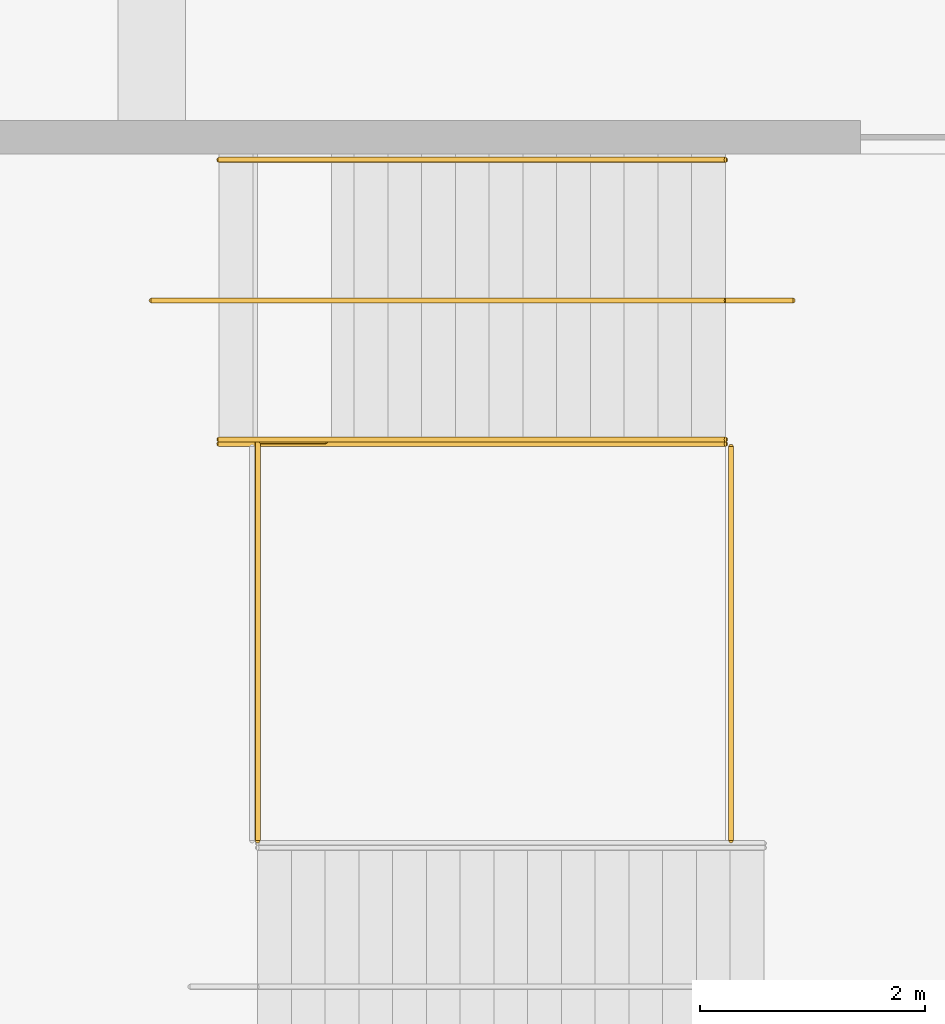
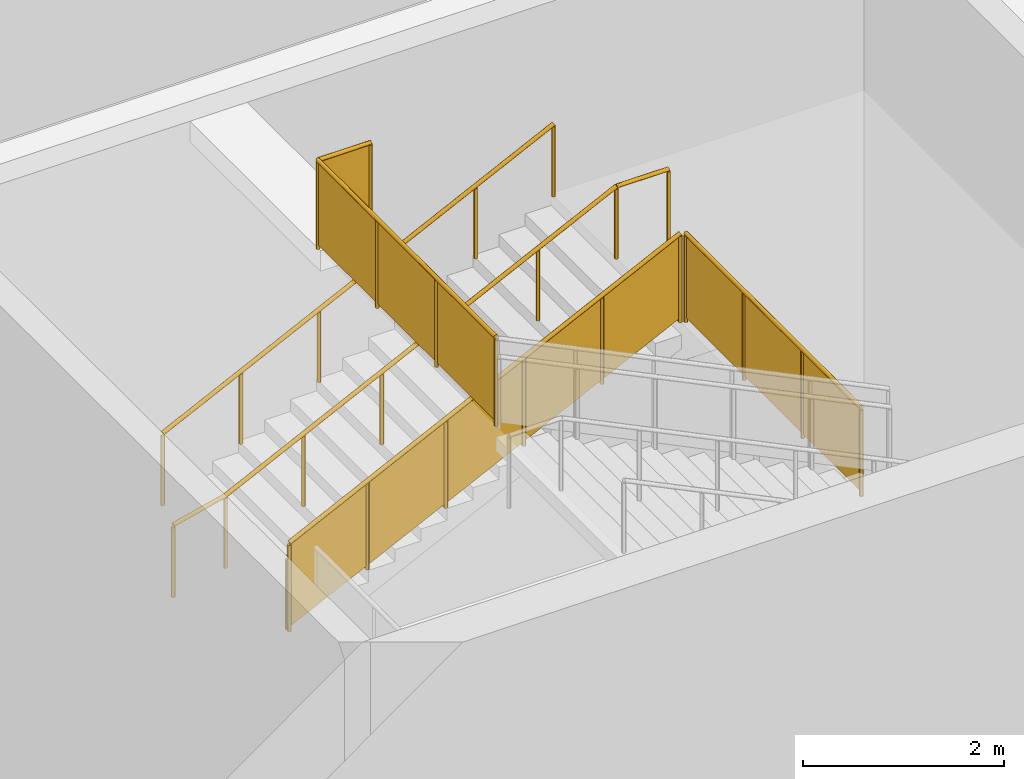
# One storey, part 70 of 92: 6 railings.
"""IFC4 building model written with IfcOpenShell, lengths in metres."""

import ifcopenshell
import ifcopenshell.guid

model = None  # the IFC model being written
_history = None  # IfcOwnerHistory: only IFC2X3 demands one
_inside = {}  # id of a spatial element -> (the spatial element, [elements in it])
_under = {}  # id of a project, library or spatial element -> (it, [spatial elements below it])
_declared = {}  # id of a project -> (the project, [libraries it declares])
_typed = {}  # id of a type object -> (the type object, [elements of that type])
_made_of = {}  # id of a material, layer set ... -> (it, [elements and type objects made of it])


def new_model(schema):
    """Start an empty IFC model of exactly this schema.

    Asked for "IFC4X3", IfcOpenShell would pick the latest addendum, in which some entities
    have other attributes; the version numbers below select the first issue.
    IFC2X3 requires an IfcOwnerHistory on every rooted entity: one is made here for all.
    """
    global model, _history
    if schema == "IFC4X3":
        model = ifcopenshell.file(schema_version=(4, 3, 0, 0))
    else:
        model = ifcopenshell.file(schema=schema)
    _inside.clear()
    _under.clear()
    _declared.clear()
    _typed.clear()
    _made_of.clear()
    _history = None
    if model.schema == "IFC2X3":
        org = make("IfcOrganization", Name="unknown")
        user = make(
            "IfcPersonAndOrganization",
            ThePerson=make("IfcPerson", FamilyName="unknown"),
            TheOrganization=org,
        )
        app = make(
            "IfcApplication",
            ApplicationDeveloper=org,
            Version="unknown",
            ApplicationFullName="unknown",
            ApplicationIdentifier="unknown",
        )
        _history = make(
            "IfcOwnerHistory",
            OwningUser=user,
            OwningApplication=app,
            ChangeAction="ADDED",
            CreationDate=0,
        )
    return model


def make(cls, **values):
    """One entity of the class cls with the attributes given. An attribute that is None is left unset."""
    return model.create_entity(
        cls, **{name: value for name, value in values.items() if value is not None}
    )


def rooted(cls, **values):
    """An entity with a GlobalId (a new one), such as an element, a storey or a relation."""
    return make(cls, GlobalId=ifcopenshell.guid.new(), OwnerHistory=_history, **values)


def si_unit(unit_type, name, prefix=None):
    """IfcSIUnit, for example si_unit("LENGTHUNIT", "METRE", prefix="MILLI")."""
    return make("IfcSIUnit", UnitType=unit_type, Prefix=prefix, Name=name)


def assignment(units):
    """IfcUnitAssignment: the units of a project."""
    return None if units is None else make("IfcUnitAssignment", Units=units)


def point(xyz):
    """IfcCartesianPoint."""
    return None if xyz is None else make("IfcCartesianPoint", Coordinates=xyz)


def direction(xyz):
    """IfcDirection."""
    return None if xyz is None else make("IfcDirection", DirectionRatios=xyz)


def frame(location, z_axis=None, x_axis=None):
    """IfcAxis2Placement3D, a coordinate frame: its origin and axes. An axis left out is left unset."""
    return make(
        "IfcAxis2Placement3D",
        Location=point(location),
        Axis=direction(z_axis),
        RefDirection=direction(x_axis),
    )


def frame_2d(location, x_axis=None):
    """IfcAxis2Placement2D, a coordinate frame in the plane: its origin and x axis."""
    return make(
        "IfcAxis2Placement2D", Location=point(location), RefDirection=direction(x_axis)
    )


def origin():
    """The frame at (0, 0, 0) with its axes left unset."""
    return frame((0.0, 0.0, 0.0))


def origin_2d():
    """The frame at (0, 0) in the plane with its x axis left unset."""
    return frame_2d((0.0, 0.0))


def place(relative_to, where):
    """IfcLocalPlacement: puts the frame where relative to a parent placement (None: the world)."""
    return make(
        "IfcLocalPlacement", PlacementRelTo=relative_to, RelativePlacement=where
    )


def context(
    kind, dimensions, precision=None, world=None, true_north=None, identifier=None
):
    """IfcGeometricRepresentationContext, for example the 3D "Model" context."""
    return make(
        "IfcGeometricRepresentationContext",
        ContextIdentifier=identifier,
        ContextType=kind,
        CoordinateSpaceDimension=dimensions,
        Precision=precision,
        WorldCoordinateSystem=world,
        TrueNorth=true_north,
    )


def subcontext(parent, identifier, kind, view, scale=None):
    """IfcGeometricRepresentationSubContext, for example "Body" below "Model"."""
    return make(
        "IfcGeometricRepresentationSubContext",
        ContextIdentifier=identifier,
        ContextType=kind,
        ParentContext=parent,
        TargetScale=scale,
        TargetView=view,
    )


def project(units=None, contexts=None):
    """IfcProject with its units and contexts."""
    return rooted(
        "IfcProject",
        Name="project",
        RepresentationContexts=contexts,
        UnitsInContext=assignment(units),
    )


def spatial(cls, under=None, at=None, **own):
    """A site, building, storey or space (cls), placed at a placement, below another one or the project."""
    s = rooted(cls, ObjectPlacement=at, **own)
    if under is not None:
        _under.setdefault(under.id(), (under, []))[1].append(s)
    return s


def polyline(points):
    """IfcPolyline through the points."""
    return make("IfcPolyline", Points=[point(p) for p in points])


def profile(cls, at=None, kind="AREA", **sizes):
    """A parametric profile (cls). Its sizes go by their IFC names, for example OverallWidth=200.0."""
    return make(cls, ProfileType=kind, Position=at, **sizes)


def circle(**sizes):
    """IfcCircleProfileDef."""
    return profile("IfcCircleProfileDef", **sizes)


def outline(outer, holes=None, kind="AREA"):
    """IfcArbitraryClosedProfileDef: a profile drawn as a closed curve; with holes, ...WithVoids."""
    if holes is None:
        return make("IfcArbitraryClosedProfileDef", ProfileType=kind, OuterCurve=outer)
    return make(
        "IfcArbitraryProfileDefWithVoids",
        ProfileType=kind,
        OuterCurve=outer,
        InnerCurves=holes,
    )


def extrude(swept, where, along, depth):
    """IfcExtrudedAreaSolid: the profile swept, set in the frame where, extruded along a direction by depth."""
    return make(
        "IfcExtrudedAreaSolid",
        SweptArea=swept,
        Position=where,
        ExtrudedDirection=direction(along),
        Depth=depth,
    )


def shape(context_of_items, identifier, shape_type, items):
    """IfcShapeRepresentation: the items that make up one representation, for example the "Body"."""
    return make(
        "IfcShapeRepresentation",
        ContextOfItems=context_of_items,
        RepresentationIdentifier=identifier,
        RepresentationType=shape_type,
        Items=items,
    )


def material(Name=None, Category=None):
    """IfcMaterial."""
    return make("IfcMaterial", Name=Name, Category=Category)


def made_of(thing, what):
    """Note that an element or type object is made of a material, layer set ...; save() writes the relation."""
    if what is not None:
        _made_of.setdefault(what.id(), (what, []))[1].append(thing)
    return thing


def type_object(cls, material=None, **own):
    """A type object (cls), such as IfcWallType, which elements share."""
    return made_of(rooted(cls, **own), material)


def element(
    cls,
    number,
    at=None,
    inside=None,
    cuts=None,
    type_object=None,
    material=None,
    context=None,
    identifier="Body",
    shape_type=None,
    held_by="IfcProductDefinitionShape",
    body=None,
    shapes=None,
    **own,
):
    """One element of the class cls, such as IfcWall. Its Tag is "e" and its number.

    at: its placement. inside: the storey or other place that contains it. cuts: it is an
    opening in that element (IfcRelVoidsElement). A single representation is given by context,
    identifier, shape_type and body (its items); several are given by shapes. held_by: the class
    of the entity that holds the representations. save() writes the other relations.
    """
    e = rooted(cls, Tag="e%d" % number, ObjectPlacement=at, **own)
    if body is not None:
        shapes = [shape(context, identifier, shape_type, body)]
    if shapes is not None:
        e.Representation = make(held_by, Representations=shapes)
    if inside is not None:
        _inside.setdefault(inside.id(), (inside, []))[1].append(e)
    if cuts is not None:
        rooted(
            "IfcRelVoidsElement", RelatingBuildingElement=cuts, RelatedOpeningElement=e
        )
    if type_object is not None:
        _typed.setdefault(type_object.id(), (type_object, []))[1].append(e)
    return made_of(e, material)


def aggregate(whole, parts):
    """IfcRelAggregates: a whole, such as a stair, and the parts it consists of."""
    return rooted("IfcRelAggregates", RelatingObject=whole, RelatedObjects=parts)


def save(model, path):
    """Write the relations noted so far, then the file.

    IfcRelAggregates (storeys below a building ...), IfcRelContainedInSpatialStructure (elements
    in a storey), IfcRelDefinesByType, IfcRelAssociatesMaterial and IfcRelDeclares: one each for
    every whole, place, type object, material and project.
    """
    for whole, parts in _under.values():
        aggregate(whole, parts)
    for where, things in _inside.values():
        rooted(
            "IfcRelContainedInSpatialStructure",
            RelatedElements=things,
            RelatingStructure=where,
        )
    for kind, things in _typed.values():
        rooted("IfcRelDefinesByType", RelatedObjects=things, RelatingType=kind)
    for what, things in _made_of.values():
        rooted("IfcRelAssociatesMaterial", RelatedObjects=things, RelatingMaterial=what)
    for by, libraries in _declared.values():
        rooted("IfcRelDeclares", RelatingContext=by, RelatedDefinitions=libraries)
    model.write(path)


model = new_model("IFC4")

# Units and contexts
model_context = context("Model", 3, precision=1e-05, world=origin(), true_north=direction((0.0, 1.0)))
body_context = subcontext(model_context, "Body", "Model", "MODEL_VIEW")
ifc_project = project(units=[si_unit("LENGTHUNIT", "METRE"), si_unit("AREAUNIT", "SQUARE_METRE"), si_unit("VOLUMEUNIT", "CUBIC_METRE"), si_unit("PLANEANGLEUNIT", "RADIAN"), si_unit("MASSUNIT", "GRAM", prefix="KILO")], contexts=[model_context])

# Site, building, storey
site_placement = place(None, origin())
site = spatial("IfcSite", under=ifc_project, at=site_placement, CompositionType="ELEMENT")
building_placement = place(site_placement, origin())
building = spatial("IfcBuilding", under=site, at=building_placement, Name="Silverbay Arena", CompositionType="ELEMENT")
storey_placement = place(building_placement, origin())
storey = spatial("IfcBuildingStorey", under=building, at=storey_placement, Name="L00", CompositionType="ELEMENT", Elevation=0.0)

# Railings
ifc_material_1 = material(Name="Stainless steel", Category="steel")
railing_type_1 = type_object("IfcRailingType", Name="Stair guard 1100", PredefinedType="GUARDRAIL", material=ifc_material_1)
railing_1_placement = place(storey_placement, frame((171.60009765625, 24.125, 2.479248046875)))
element("IfcRailing", 1, at=railing_1_placement, inside=storey, type_object=railing_type_1, Name="Stair ST-S4 L00 to L01 flight 2 guard right", PredefinedType="GUARDRAIL", context=body_context, shape_type="SweptSolid", body=[
    extrude(circle(Radius=0.02392578125, at=origin_2d()), frame((0.0, 0.0, 1.076171875), z_axis=(0.899367854138, 0.0, 0.437192706873), x_axis=(0.0, 1.0, 0.0)), (0.0, 0.0, 1.0), 5.00341796875),
    extrude(outline(polyline([(-0.008056640625, 0.046142578125), (0.907958984375, 0.491455078125), (0.907958984375, 1.494384765625), (-0.008056640625, 1.049072265625), (-0.008056640625, 0.046142578125)])), frame((0.0, 0.0029296875, 0.0), z_axis=(0.0, -1.0, 0.0), x_axis=(1.0, 0.0, 0.0)), (0.0, 0.0, 1.0), 0.006103515625),
    extrude(outline(polyline([(-0.008056640625, 0.483642578125), (0.907958984375, 0.928955078125), (0.907958984375, 1.931884765625), (-0.008056640625, 1.486572265625), (-0.008056640625, 0.483642578125)])), frame((0.89990234375, 0.0029296875, 0.0), z_axis=(0.0, -1.0, 0.0), x_axis=(1.0, 0.0, 0.0)), (0.0, 0.0, 1.0), 0.006103515625),
    extrude(outline(polyline([(-0.008056640625, 0.921142578125), (0.907958984375, 1.366455078125), (0.907958984375, 2.369384765625), (-0.008056640625, 1.924072265625), (-0.008056640625, 0.921142578125)])), frame((1.800048828125, 0.0029296875, 0.0), z_axis=(0.0, -1.0, 0.0), x_axis=(1.0, 0.0, 0.0)), (0.0, 0.0, 1.0), 0.006103515625),
    extrude(outline(polyline([(-0.008056640625, 1.358642578125), (0.907958984375, 1.803955078125), (0.907958984375, 2.806884765625), (-0.008056640625, 2.361572265625), (-0.008056640625, 1.358642578125)])), frame((2.699951171875, 0.0029296875, 0.0), z_axis=(0.0, -1.0, 0.0), x_axis=(1.0, 0.0, 0.0)), (0.0, 0.0, 1.0), 0.006103515625),
    extrude(outline(polyline([(-0.008056640625, 1.796142578125), (0.907958984375, 2.241455078125), (0.907958984375, 3.244384765625), (-0.008056640625, 2.799072265625), (-0.008056640625, 1.796142578125)])), frame((3.60009765625, 0.0029296875, 0.0), z_axis=(0.0, -1.0, 0.0), x_axis=(1.0, 0.0, 0.0)), (0.0, 0.0, 1.0), 0.006103515625),
    extrude(circle(Radius=0.02099609375, at=origin_2d()), origin(), (0.0, 0.0, 1.0), 1.052001953125),
    extrude(circle(Radius=0.02099609375, at=origin_2d()), frame((0.89990234375, 0.0, 0.4375)), (0.0, 0.0, 1.0), 1.052001953125),
    extrude(circle(Radius=0.02099609375, at=origin_2d()), frame((1.800048828125, 0.0, 0.875)), (0.0, 0.0, 1.0), 1.052001953125),
    extrude(circle(Radius=0.02099609375, at=origin_2d()), frame((2.699951171875, 0.0, 1.3125)), (0.0, 0.0, 1.0), 1.052001953125),
    extrude(circle(Radius=0.02099609375, at=origin_2d()), frame((3.60009765625, 0.0, 1.75)), (0.0, 0.0, 1.0), 1.052001953125),
    extrude(circle(Radius=0.02099609375, at=origin_2d()), frame((4.5, 0.0, 2.1875)), (0.0, 0.0, 1.0), 1.052001953125),
])
railing_2_placement = place(storey_placement, frame((176.14990234375, 24.10009765625, 4.666748046875)))
element("IfcRailing", 2, at=railing_2_placement, inside=storey, type_object=railing_type_1, Name="Stair ST-S4 L00 to L01 landing 2 guard", PredefinedType="GUARDRAIL", context=body_context, shape_type="SweptSolid", body=[
    extrude(circle(Radius=0.02392578125, at=origin_2d()), frame((0.0, 0.0, 1.076171875), z_axis=(0.0, -1.0, 0.0), x_axis=(1.0, 0.0, 0.0)), (0.0, 0.0, 1.0), 3.5),
    extrude(outline(polyline([(-0.008056640625, 0.050048828125), (1.174560546875, 0.050048828125), (1.174560546875, 1.052978515625), (-0.008056640625, 1.052978515625), (-0.008056640625, 0.050048828125)])), frame((0.0029296875, 0.0, 0.0), z_axis=(-1.0, 0.0, 0.0), x_axis=(0.0, -1.0, 0.0)), (0.0, 0.0, 1.0), 0.006103515625),
    extrude(outline(polyline([(-0.008056640625, 0.050048828125), (1.174560546875, 0.050048828125), (1.174560546875, 1.052978515625), (-0.008056640625, 1.052978515625), (-0.008056640625, 0.050048828125)])), frame((0.0029296875, -1.166748046875, 0.0), z_axis=(-1.0, 0.0, 0.0), x_axis=(0.0, -1.0, 0.0)), (0.0, 0.0, 1.0), 0.006103515625),
    extrude(outline(polyline([(-0.008056640625, 0.050048828125), (1.174560546875, 0.050048828125), (1.174560546875, 1.052978515625), (-0.008056640625, 1.052978515625), (-0.008056640625, 0.050048828125)])), frame((0.0029296875, -2.333251953125, 0.0), z_axis=(-1.0, 0.0, 0.0), x_axis=(0.0, -1.0, 0.0)), (0.0, 0.0, 1.0), 0.006103515625),
    extrude(circle(Radius=0.02099609375, at=origin_2d()), origin(), (0.0, 0.0, 1.0), 1.052001953125),
    extrude(circle(Radius=0.02099609375, at=origin_2d()), frame((0.0, -1.166748046875, 0.0)), (0.0, 0.0, 1.0), 1.052001953125),
    extrude(circle(Radius=0.02099609375, at=origin_2d()), frame((0.0, -2.333251953125, 0.0)), (0.0, 0.0, 1.0), 1.052001953125),
    extrude(circle(Radius=0.02099609375, at=origin_2d()), frame((0.0, -3.5, 0.0)), (0.0, 0.0, 1.0), 1.052001953125),
])
railing_3_placement = place(storey_placement, frame((172.550048828125, 24.14990234375, 7.0)))
element("IfcRailing", 3, at=railing_3_placement, inside=storey, type_object=railing_type_1, Name="Stair ST-S4 L00 to L01 landing 3 guard", PredefinedType="GUARDRAIL", context=body_context, shape_type="SweptSolid", body=[
    extrude(circle(Radius=0.02392578125, at=origin_2d()), frame((0.0, 0.0, 1.076171875), z_axis=(-1.0, 0.0, 0.0), x_axis=(0.0, -1.0, 0.0)), (0.0, 0.0, 1.0), 0.60693359375),
    extrude(outline(polyline([(-0.008056640625, 0.050048828125), (0.614990234375, 0.050048828125), (0.614990234375, 1.052978515625), (-0.008056640625, 1.052978515625), (-0.008056640625, 0.050048828125)])), frame((0.0, -0.0029296875, 0.0), z_axis=(0.0, 1.0, 0.0), x_axis=(-1.0, 0.0, 0.0)), (0.0, 0.0, 1.0), 0.006103515625),
    extrude(circle(Radius=0.02392578125, at=origin_2d()), frame((-0.60693359375, 0.0, 1.076171875), z_axis=(0.0, -1.0, 0.0), x_axis=(1.0, 0.0, 0.0)), (0.0, 0.0, 1.0), 3.5498046875),
    extrude(outline(polyline([(-0.008056640625, 0.050048828125), (1.191162109375, 0.050048828125), (1.191162109375, 1.052978515625), (-0.008056640625, 1.052978515625), (-0.008056640625, 0.050048828125)])), frame((-0.60400390625, 0.0, 0.0), z_axis=(-1.0, 0.0, 0.0), x_axis=(0.0, -1.0, 0.0)), (0.0, 0.0, 1.0), 0.006103515625),
    extrude(outline(polyline([(-0.008056640625, 0.050048828125), (1.191162109375, 0.050048828125), (1.191162109375, 1.052978515625), (-0.008056640625, 1.052978515625), (-0.008056640625, 0.050048828125)])), frame((-0.60400390625, -1.183349609375, 0.0), z_axis=(-1.0, 0.0, 0.0), x_axis=(0.0, -1.0, 0.0)), (0.0, 0.0, 1.0), 0.006103515625),
    extrude(outline(polyline([(-0.008056640625, 0.050048828125), (1.191162109375, 0.050048828125), (1.191162109375, 1.052978515625), (-0.008056640625, 1.052978515625), (-0.008056640625, 0.050048828125)])), frame((-0.60400390625, -2.366455078125, 0.0), z_axis=(-1.0, 0.0, 0.0), x_axis=(0.0, -1.0, 0.0)), (0.0, 0.0, 1.0), 0.006103515625),
    extrude(circle(Radius=0.02099609375, at=origin_2d()), origin(), (0.0, 0.0, 1.0), 1.052001953125),
    extrude(circle(Radius=0.02099609375, at=origin_2d()), frame((-0.60693359375, 0.0, 0.0)), (0.0, 0.0, 1.0), 1.052001953125),
    extrude(circle(Radius=0.02099609375, at=origin_2d()), frame((-0.60693359375, -1.183349609375, 0.0)), (0.0, 0.0, 1.0), 1.052001953125),
    extrude(circle(Radius=0.02099609375, at=origin_2d()), frame((-0.60693359375, -2.366455078125, 0.0)), (0.0, 0.0, 1.0), 1.052001953125),
    extrude(circle(Radius=0.02099609375, at=origin_2d()), frame((-0.60693359375, -3.5498046875, 0.0)), (0.0, 0.0, 1.0), 1.052001953125),
])
ifc_material_2 = material(Name="Stainless steel", Category="steel")
railing_type_2 = type_object("IfcRailingType", Name="Stair handrail 900", PredefinedType="HANDRAIL", material=ifc_material_2)
for number, where, name in (
    (4, (171.60009765625, 26.64990234375, 2.479248046875), "Stair ST-S4 L00 to L01 flight 2 handrail left"),
    (5, (171.60009765625, 24.1640625, 2.479248046875), "Stair ST-S4 L00 to L01 flight 2 handrail right"),
):
    element("IfcRailing", number, at=place(storey_placement, frame(where)), inside=storey, type_object=railing_type_2, Name=name, PredefinedType="HANDRAIL", context=body_context, shape_type="SweptSolid", body=[
        extrude(circle(Radius=0.02392578125, at=origin_2d()), frame((0.0, 0.0, 0.8759765625), z_axis=(0.899367854138, 0.0, 0.437192706873), x_axis=(0.0, 1.0, 0.0)), (0.0, 0.0, 1.0), 5.00341796875),
        extrude(circle(Radius=0.02099609375, at=origin_2d()), origin(), (0.0, 0.0, 1.0), 0.851806640625),
        extrude(circle(Radius=0.02099609375, at=origin_2d()), frame((0.89990234375, 0.0, 0.4375)), (0.0, 0.0, 1.0), 0.851806640625),
        extrude(circle(Radius=0.02099609375, at=origin_2d()), frame((1.800048828125, 0.0, 0.875)), (0.0, 0.0, 1.0), 0.851806640625),
        extrude(circle(Radius=0.02099609375, at=origin_2d()), frame((2.699951171875, 0.0, 1.3125)), (0.0, 0.0, 1.0), 0.851806640625),
        extrude(circle(Radius=0.02099609375, at=origin_2d()), frame((3.60009765625, 0.0, 1.75)), (0.0, 0.0, 1.0), 0.851806640625),
        extrude(circle(Radius=0.02099609375, at=origin_2d()), frame((4.5, 0.0, 2.1875)), (0.0, 0.0, 1.0), 0.851806640625),
    ])
railing_4_placement = place(storey_placement, frame((171.0, 25.39990234375, 2.333251953125)))
element("IfcRailing", 6, at=railing_4_placement, inside=storey, type_object=railing_type_2, Name="Stair ST-S4 L00 to L01 flight 2 central handrail", PredefinedType="HANDRAIL", context=body_context, shape_type="SweptSolid", body=[
    extrude(circle(Radius=0.02392578125, at=origin_2d()), frame((0.0, 0.0, 0.8759765625), z_axis=(0.971657787874, 0.0, 0.236391927237), x_axis=(0.0, 1.0, 0.0)), (0.0, 0.0, 1.0), 0.61767578125),
    extrude(circle(Radius=0.02392578125, at=origin_2d()), frame((0.60009765625, 0.0, 1.02197265625), z_axis=(0.899367854138, 0.0, 0.437192706873), x_axis=(0.0, 1.0, 0.0)), (0.0, 0.0, 1.0), 5.00341796875),
    extrude(circle(Radius=0.02392578125, at=origin_2d()), frame((5.10009765625, 0.0, 3.20947265625), z_axis=(1.0, 0.0, 0.0), x_axis=(0.0, 1.0, 0.0)), (0.0, 0.0, 1.0), 0.599853515625),
    extrude(circle(Radius=0.02099609375, at=origin_2d()), origin(), (0.0, 0.0, 1.0), 0.851806640625),
    extrude(circle(Radius=0.02099609375, at=origin_2d()), frame((0.60009765625, 0.0, 0.14599609375)), (0.0, 0.0, 1.0), 0.851806640625),
    extrude(circle(Radius=0.02099609375, at=origin_2d()), frame((1.5, 0.0, 0.58349609375)), (0.0, 0.0, 1.0), 0.851806640625),
    extrude(circle(Radius=0.02099609375, at=origin_2d()), frame((2.400146484375, 0.0, 1.02099609375)), (0.0, 0.0, 1.0), 0.851806640625),
    extrude(circle(Radius=0.02099609375, at=origin_2d()), frame((3.300048828125, 0.0, 1.45849609375)), (0.0, 0.0, 1.0), 0.851806640625),
    extrude(circle(Radius=0.02099609375, at=origin_2d()), frame((4.2001953125, 0.0, 1.89599609375)), (0.0, 0.0, 1.0), 0.851806640625),
    extrude(circle(Radius=0.02099609375, at=origin_2d()), frame((5.10009765625, 0.0, 2.33349609375)), (0.0, 0.0, 1.0), 0.851806640625),
    extrude(circle(Radius=0.02099609375, at=origin_2d()), frame((5.699951171875, 0.0, 2.33349609375)), (0.0, 0.0, 1.0), 0.851806640625),
])

save(model, "model.ifc")
